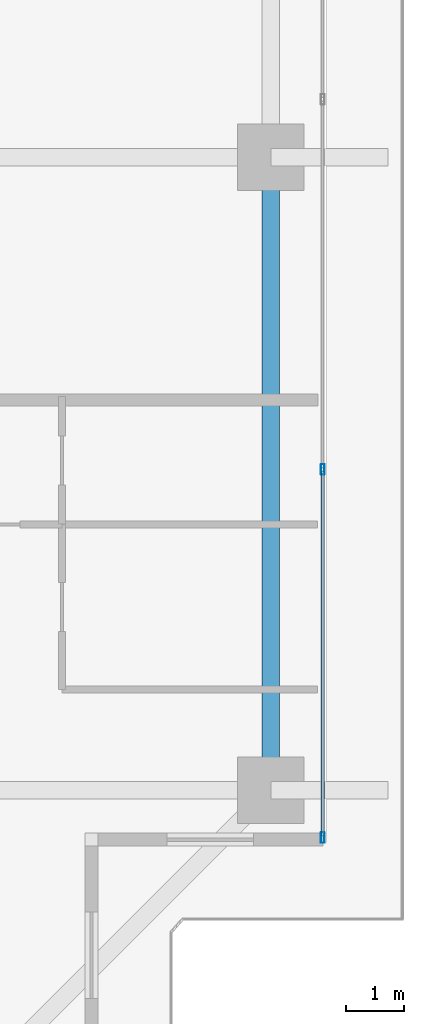
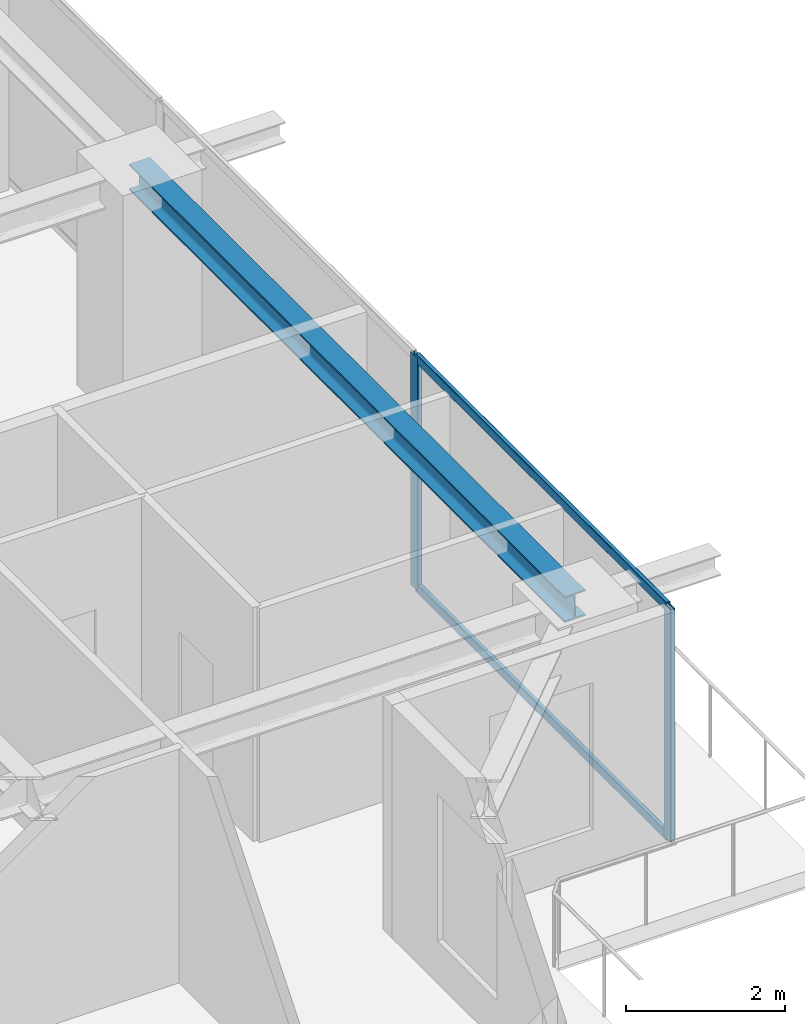
# One storey, part 14 of 38: 4 members, 1 beam, 1 element without a shape of its own.
"""IFC4 building model written with IfcOpenShell, lengths in metres."""

from ifc_helpers import new_model, si_unit, direction, frame, origin, origin_2d, place, context, subcontext, project, spatial, hollow_rectangle, i_section, extrude, source, transform, mapped, material, layer, layer_set, material_profile, profile_set, type_object, element, aggregate, save


model = new_model("IFC4")

# Units and contexts
model_context = context("Model", 3, precision=1e-05, world=origin(), true_north=direction((0.0, 1.0)))
body_context = subcontext(model_context, "Body", "Model", "MODEL_VIEW")
ifc_project = project(units=[si_unit("LENGTHUNIT", "METRE"), si_unit("AREAUNIT", "SQUARE_METRE"), si_unit("VOLUMEUNIT", "CUBIC_METRE"), si_unit("PLANEANGLEUNIT", "RADIAN"), si_unit("MASSUNIT", "GRAM", prefix="KILO")], contexts=[model_context])

# Site, building, storey
site_placement = place(None, origin())
site = spatial("IfcSite", under=ifc_project, at=site_placement, CompositionType="ELEMENT")
building_placement = place(site_placement, origin())
building = spatial("IfcBuilding", under=site, at=building_placement, Name="Serunith Strait Residences", CompositionType="ELEMENT")
storey_placement = place(building_placement, frame((0.0, 0.0, 268.199951171875)))
storey = spatial("IfcBuildingStorey", under=building, at=storey_placement, Name="L67", CompositionType="ELEMENT", Elevation=268.199951171875)

# Beam
ifc_material_1 = material(Name="Steel S355J2", Category="steel")
ifc_material_profile_1 = material_profile(ifc_material_1, i_section(OverallWidth=0.300048828125, OverallDepth=0.39990234375, WebThickness=0.013427734375, FlangeThickness=0.02392578125, FilletRadius=0.027099609375, at=origin_2d()), Name="HEB 400")
ifc_profile_set_1 = profile_set([ifc_material_profile_1], Name="Steel S355J2")
beam_type = type_object("IfcBeamType", Name="BM-HEB400", PredefinedType="BEAM", material=ifc_profile_set_1)
shared_shape_1 = source(origin(), body_context, "Body", "SweptSolid", [
    extrude(i_section(OverallWidth=0.300048828125, OverallDepth=0.39990234375, WebThickness=0.013427734375, FlangeThickness=0.02392578125, FilletRadius=0.027099609375, at=origin_2d()), origin(), (0.0, 0.0, 1.0), 10.949951171875),
])
beam_placement = place(storey_placement, frame((56.5, 10.050048828125, 3.386962890625), z_axis=(0.0, 1.0, 0.0), x_axis=(-1.0, 0.0, 0.0)))
element("IfcBeam", 1, at=beam_placement, inside=storey, type_object=beam_type, Name="L67 Perimeter Ring Beam 05", PredefinedType="BEAM", context=body_context, shape_type="MappedRepresentation", body=[
    mapped(shared_shape_1, transform((0.0, 0.0, 0.0), scale=1.0)),
])

# Curtain wall, members
ifc_material_2 = material(Name="Pale-Champagne Anodised Aluminium", Category="aluminium")
ifc_layer = layer(ifc_material_2, 0.199951171875, Name="Pale-Champagne Anodised Aluminium")
ifc_layer_set = layer_set([ifc_layer], Name="Pale-Champagne Anodised Aluminium")
curtain_wall_type = type_object("IfcCurtainWallType", Name="CW-SYS4", PredefinedType="NOTDEFINED", material=ifc_layer_set)
curtain_wall_placement = place(storey_placement, origin())
curtain_wall = element("IfcCurtainWall", 2, at=curtain_wall_placement, inside=storey, type_object=curtain_wall_type, Name="L67 E Unitised Fritted Curtain Wall", PredefinedType="NOTDEFINED")
ifc_material_profile_2 = material_profile(ifc_material_2, hollow_rectangle(XDim=0.06494140625, YDim=0.179931640625, WallThickness=0.00341796875, InnerFilletRadius=0.00537109375, OuterFilletRadius=0.0087890625, at=origin_2d()), Name="ALU 180x65x3.5")
ifc_profile_set_2 = profile_set([ifc_material_profile_2], Name="Pale-Champagne Anodised Aluminium")
member_type_1 = type_object("IfcMemberType", Name="CW-SYS4-MULL", PredefinedType="MULLION", material=ifc_profile_set_2)
shared_shape_2 = source(origin(), body_context, "Body", "SweptSolid", [
    extrude(hollow_rectangle(XDim=0.06494140625, YDim=0.179931640625, WallThickness=0.00341796875, InnerFilletRadius=0.00537109375, OuterFilletRadius=0.0087890625, at=origin_2d()), origin(), (0.0, 0.0, 1.0), 3.574951171875),
])
member_1_placement = place(storey_placement, frame((57.39990234375, 9.232421875, 0.0), z_axis=(0.0, 0.0, 1.0), x_axis=(-1.0, 0.0, 0.0)))
member_1 = element("IfcMember", 3, at=member_1_placement, type_object=member_type_1, Name="CW-4 mullion 1", PredefinedType="MULLION", context=body_context, shape_type="MappedRepresentation", body=[
    mapped(shared_shape_2, transform((0.0, 0.0, 0.0), scale=1.0)),
])
member_2_placement = place(storey_placement, frame((57.39990234375, 15.60009765625, 0.0), z_axis=(0.0, 0.0, 1.0), x_axis=(-1.0, 0.0, 0.0)))
member_2 = element("IfcMember", 4, at=member_2_placement, type_object=member_type_1, Name="CW-4 mullion 2", PredefinedType="MULLION", context=body_context, shape_type="MappedRepresentation", body=[
    mapped(shared_shape_2, transform((0.0, 0.0, 0.0), scale=1.0)),
])
ifc_material_profile_3 = material_profile(ifc_material_2, hollow_rectangle(XDim=0.06005859375, YDim=0.139892578125, WallThickness=0.00341796875, InnerFilletRadius=0.00537109375, OuterFilletRadius=0.0087890625, at=origin_2d()), Name="ALU 140x60x3.5")
ifc_profile_set_3 = profile_set([ifc_material_profile_3], Name="Pale-Champagne Anodised Aluminium")
member_type_2 = type_object("IfcMemberType", Name="CW-SYS4-TRAN", PredefinedType="USERDEFINED", material=ifc_profile_set_3)
shared_shape_3 = source(origin(), body_context, "Body", "SweptSolid", [
    extrude(hollow_rectangle(XDim=0.06005859375, YDim=0.139892578125, WallThickness=0.00341796875, InnerFilletRadius=0.00537109375, OuterFilletRadius=0.0087890625, at=origin_2d()), origin(), (0.0, 0.0, 1.0), 6.302490234375),
])
member_3_placement = place(storey_placement, frame((57.39990234375, 9.264892578125, 0.030029296875), z_axis=(0.0, 1.0, 0.0), x_axis=(-1.0, 0.0, 0.0)))
member_3 = element("IfcMember", 5, at=member_3_placement, type_object=member_type_2, Name="CW-4 transom 1.1", ObjectType="TRANSOM", PredefinedType="USERDEFINED", context=body_context, shape_type="MappedRepresentation", body=[
    mapped(shared_shape_3, transform((0.0, 0.0, 0.0), scale=1.0)),
])
member_4_placement = place(storey_placement, frame((57.39990234375, 9.264892578125, 3.545166015625), z_axis=(0.0, 1.0, 0.0), x_axis=(-1.0, 0.0, 0.0)))
member_4 = element("IfcMember", 6, at=member_4_placement, type_object=member_type_2, Name="CW-4 transom 1.2", ObjectType="TRANSOM", PredefinedType="USERDEFINED", context=body_context, shape_type="MappedRepresentation", body=[
    mapped(shared_shape_3, transform((0.0, 0.0, 0.0), scale=1.0)),
])
aggregate(curtain_wall, [member_1, member_2, member_3, member_4])

save(model, "model.ifc")
